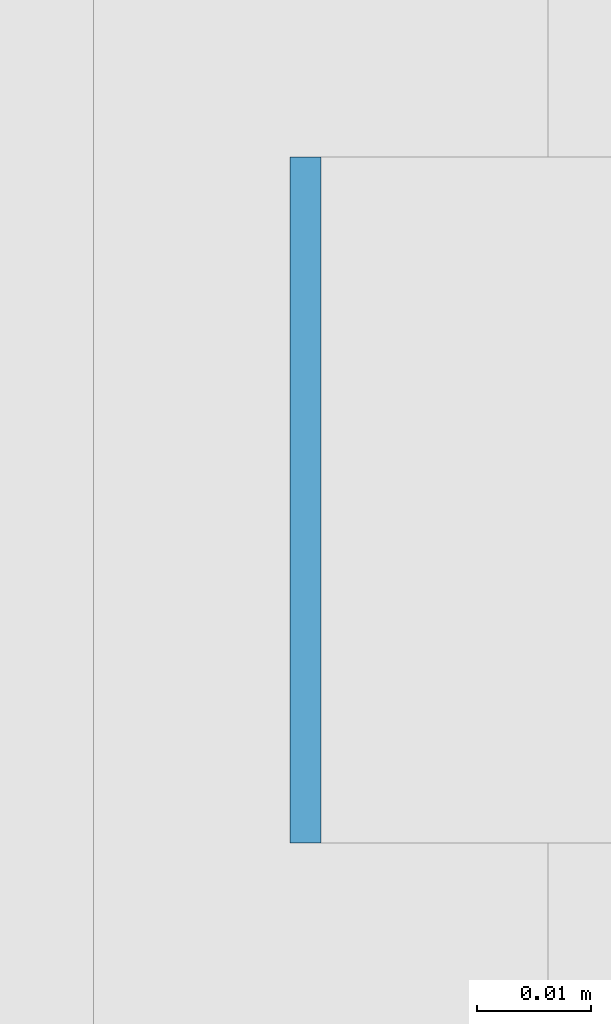
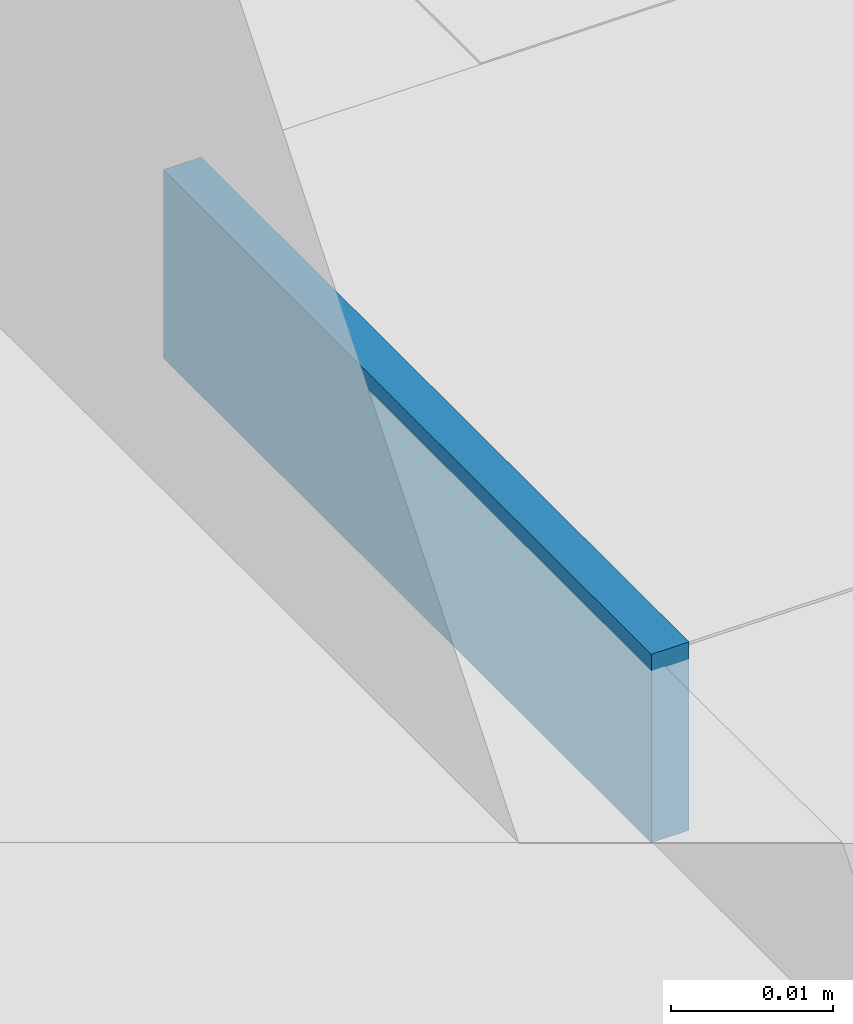
# One storey, part 585 of 646: 1 discrete accessory.
"""IFC4 building model written with IfcOpenShell, lengths in metres."""

from ifc_helpers import new_model, si_unit, direction, frame, origin, origin_2d, place, context, subcontext, project, spatial, rectangle, extrude, material, type_object, element, save


model = new_model("IFC4")

# Units and contexts
model_context = context("Model", 3, precision=1e-05, world=origin(), true_north=direction((0.0, 1.0)))
body_context = subcontext(model_context, "Body", "Model", "MODEL_VIEW")
ifc_project = project(units=[si_unit("LENGTHUNIT", "METRE"), si_unit("AREAUNIT", "SQUARE_METRE"), si_unit("VOLUMEUNIT", "CUBIC_METRE"), si_unit("PLANEANGLEUNIT", "RADIAN"), si_unit("MASSUNIT", "GRAM", prefix="KILO")], contexts=[model_context])

# Site, building, storey
site_placement = place(None, origin())
site = spatial("IfcSite", under=ifc_project, at=site_placement, CompositionType="ELEMENT")
building_placement = place(site_placement, origin())
building = spatial("IfcBuilding", under=site, at=building_placement, Name="Silverbay Arena", CompositionType="ELEMENT")
storey_placement = place(building_placement, frame((0.0, 0.0, 33.5)))
storey = spatial("IfcBuildingStorey", under=building, at=storey_placement, Name="L05", CompositionType="ELEMENT", Elevation=33.5)

# Discrete accessory
ifc_material = material(Name="Steel S355", Category="steel")
discrete_accessory_type = type_object("IfcDiscreteAccessoryType", Name="Steel bracket plate", PredefinedType="BRACKET", material=ifc_material)
discrete_accessory_placement = place(storey_placement, frame((207.128662109375, 115.71435546875, 12.98583984375), z_axis=(0.0, 0.0, 1.0), x_axis=(1.0, 0.0, 0.0)))
element("IfcDiscreteAccessory", 1, at=discrete_accessory_placement, inside=storey, type_object=discrete_accessory_type, Name="Curtain wall packing plate", PredefinedType="BRACKET", context=body_context, shape_type="SweptSolid", body=[
    extrude(rectangle(XDim=0.002685546875, YDim=0.06005859375, at=origin_2d()), origin(), (0.0, 0.0, 1.0), 0.01416015625),
])

save(model, "model.ifc")
